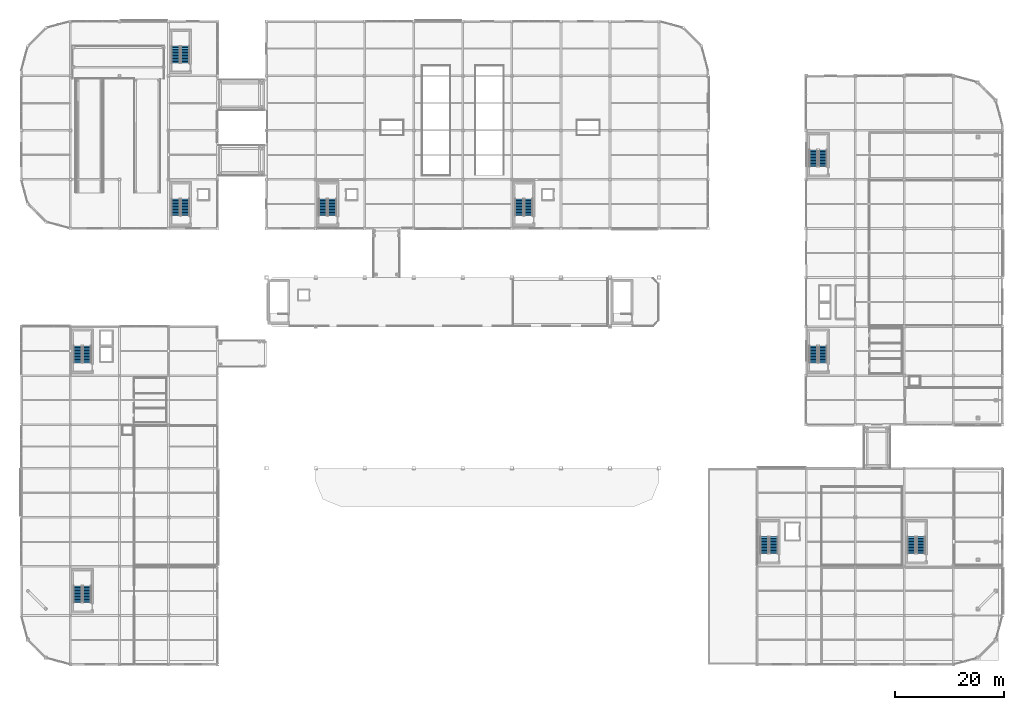
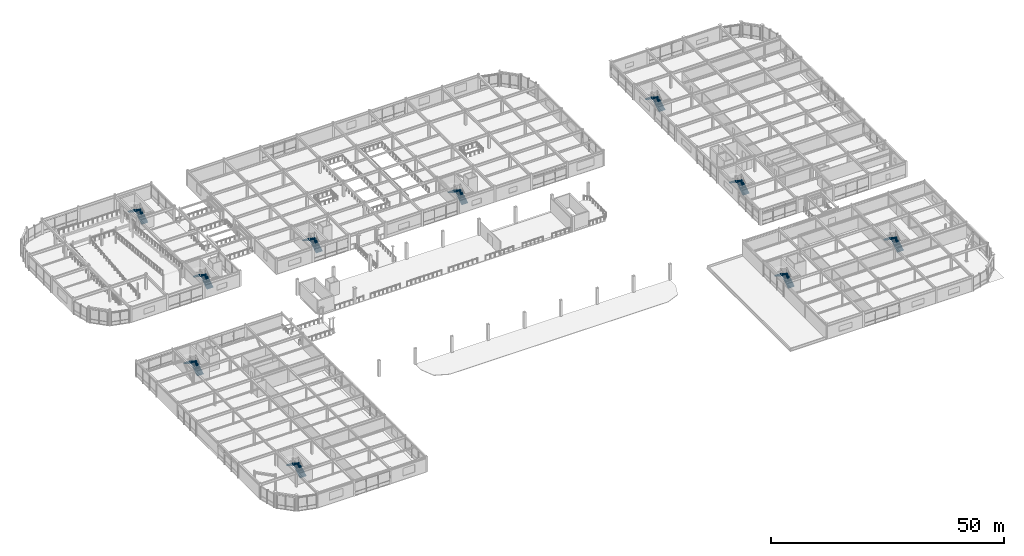
# One storey, part 80 of 105: 20 stair flights, 10 elements without a shape of their own.
"""IFC4 building model written with IfcOpenShell, lengths in metres."""

from ifc_helpers import new_model, si_unit, direction, frame, origin, place, context, subcontext, project, spatial, polyline, outline, extrude, material, type_object, element, aggregate, save


model = new_model("IFC4")

# Units and contexts
model_context = context("Model", 3, precision=1e-05, world=origin(), true_north=direction((0.0, 1.0)))
body_context = subcontext(model_context, "Body", "Model", "MODEL_VIEW")
ifc_project = project(units=[si_unit("LENGTHUNIT", "METRE"), si_unit("AREAUNIT", "SQUARE_METRE"), si_unit("VOLUMEUNIT", "CUBIC_METRE"), si_unit("PLANEANGLEUNIT", "RADIAN"), si_unit("MASSUNIT", "GRAM", prefix="KILO")], contexts=[model_context])

# Site, building, storey
site_placement = place(None, origin())
site = spatial("IfcSite", under=ifc_project, at=site_placement, CompositionType="ELEMENT")
building_placement = place(site_placement, origin())
building = spatial("IfcBuilding", under=site, at=building_placement, Name="Suzunagisa Mobility Hub", CompositionType="ELEMENT")
storey_placement = place(building_placement, frame((0.0, 0.0, 5.10009765625)))
storey = spatial("IfcBuildingStorey", under=building, at=storey_placement, Name="L01", CompositionType="ELEMENT", Elevation=5.10009765625)

# Stair, stair flights
ifc_material = material(Name="Concrete C35/45", Category="concrete")
stair_type_1 = type_object("IfcStairType", Name="Dog-Leg Core Escape Stair ST-01 W1560", PredefinedType="HALF_TURN_STAIR", material=ifc_material)
stair_1_placement = place(storey_placement, origin())
stair_1 = element("IfcStair", 1, at=stair_1_placement, inside=storey, type_object=stair_type_1, Name="L01 Core C1 Escape Stair ST-01", PredefinedType="HALF_TURN_STAIR")
stair_flight_type_1 = type_object("IfcStairFlightType", Name="Dog-Leg Core Stair Flight ST-01-F W1560", PredefinedType="STRAIGHT", material=ifc_material)
stair_flight_1_placement = place(storey_placement, frame((12.06005859375, 55.360107421875, 0.0), z_axis=(0.0, 0.0, 1.0), x_axis=(0.0, 1.0, 0.0)))
stair_flight_1 = element("IfcStairFlight", 2, at=stair_flight_1_placement, type_object=stair_flight_type_1, Name="ST-01 flight 1", NumberOfRisers=12, NumberOfTreads=11, PredefinedType="STRAIGHT", RiserHeight=0.175, TreadLength=0.28, context=body_context, shape_type="SweptSolid", body=[
    extrude(outline(polyline([(0.0, 0.0), (0.0, 0.175048828125), (0.280029296875, 0.175048828125), (0.280029296875, 0.35009765625), (0.56005859375, 0.35009765625), (0.56005859375, 0.52490234375), (0.840087890625, 0.52490234375), (0.840087890625, 0.699951171875), (1.1201171875, 0.699951171875), (1.1201171875, 0.875), (1.39990234375, 0.875), (1.39990234375, 1.050048828125), (1.679931640625, 1.050048828125), (1.679931640625, 1.22509765625), (1.9599609375, 1.22509765625), (1.9599609375, 1.39990234375), (2.239990234375, 1.39990234375), (2.239990234375, 1.574951171875), (2.52001953125, 1.574951171875), (2.52001953125, 1.75), (2.800048828125, 1.75), (2.800048828125, 1.925048828125), (3.080078125, 1.925048828125), (3.080078125, 2.10009765625), (3.080078125, 1.736328125), (0.3017578125, 0.0), (0.0, 0.0)])), frame((0.0, 0.780029296875, 0.0), z_axis=(0.0, -1.0, 0.0), x_axis=(1.0, 0.0, 0.0)), (0.0, 0.0, 1.0), 1.56005859375),
])
stair_flight_2_placement = place(storey_placement, frame((10.340087890625, 58.43994140625, 2.099853515625), z_axis=(0.0, 0.0, 1.0), x_axis=(0.0, -1.0, 0.0)))
stair_flight_2 = element("IfcStairFlight", 3, at=stair_flight_2_placement, type_object=stair_flight_type_1, Name="ST-01 flight 2", NumberOfRisers=12, NumberOfTreads=11, PredefinedType="STRAIGHT", RiserHeight=0.175, TreadLength=0.28, context=body_context, shape_type="SweptSolid", body=[
    extrude(outline(polyline([(0.0, 0.0), (0.0, 0.175048828125), (0.280029296875, 0.175048828125), (0.280029296875, 0.35009765625), (0.56005859375, 0.35009765625), (0.56005859375, 0.52490234375), (0.840087890625, 0.52490234375), (0.840087890625, 0.699951171875), (1.1201171875, 0.699951171875), (1.1201171875, 0.875), (1.39990234375, 0.875), (1.39990234375, 1.050048828125), (1.679931640625, 1.050048828125), (1.679931640625, 1.22509765625), (1.9599609375, 1.22509765625), (1.9599609375, 1.39990234375), (2.239990234375, 1.39990234375), (2.239990234375, 1.574951171875), (2.52001953125, 1.574951171875), (2.52001953125, 1.75), (2.800048828125, 1.75), (2.800048828125, 1.925048828125), (3.080078125, 1.925048828125), (3.080078125, 2.10009765625), (3.080078125, 1.736328125), (0.3017578125, 0.0), (0.0, 0.0)])), frame((0.0, 0.780029296875, 0.0), z_axis=(0.0, -1.0, 0.0), x_axis=(1.0, 0.0, 0.0)), (0.0, 0.0, 1.0), 1.56005859375),
])
aggregate(stair_1, [stair_flight_1, stair_flight_2])

stair_type_2 = type_object("IfcStairType", Name="Dog-Leg Core Escape Stair ST-02 W1560", PredefinedType="HALF_TURN_STAIR", material=ifc_material)
stair_2_placement = place(storey_placement, origin())
stair_2 = element("IfcStair", 4, at=stair_2_placement, inside=storey, type_object=stair_type_2, Name="L01 Core C1B Escape Stair ST-02", PredefinedType="HALF_TURN_STAIR")
stair_flight_type_2 = type_object("IfcStairFlightType", Name="Dog-Leg Core Stair Flight ST-02-F W1560", PredefinedType="STRAIGHT", material=ifc_material)
stair_flight_3_placement = place(storey_placement, frame((12.06005859375, 11.360107421875, 0.0), z_axis=(0.0, 0.0, 1.0), x_axis=(0.0, 1.0, 0.0)))
stair_flight_3 = element("IfcStairFlight", 5, at=stair_flight_3_placement, type_object=stair_flight_type_2, Name="ST-02 flight 1", NumberOfRisers=12, NumberOfTreads=11, PredefinedType="STRAIGHT", RiserHeight=0.175, TreadLength=0.28, context=body_context, shape_type="SweptSolid", body=[
    extrude(outline(polyline([(0.0, 0.0), (0.0, 0.175048828125), (0.280029296875, 0.175048828125), (0.280029296875, 0.35009765625), (0.56005859375, 0.35009765625), (0.56005859375, 0.52490234375), (0.840087890625, 0.52490234375), (0.840087890625, 0.699951171875), (1.1201171875, 0.699951171875), (1.1201171875, 0.875), (1.39990234375, 0.875), (1.39990234375, 1.050048828125), (1.679931640625, 1.050048828125), (1.679931640625, 1.22509765625), (1.9599609375, 1.22509765625), (1.9599609375, 1.39990234375), (2.239990234375, 1.39990234375), (2.239990234375, 1.574951171875), (2.52001953125, 1.574951171875), (2.52001953125, 1.75), (2.800048828125, 1.75), (2.800048828125, 1.925048828125), (3.080078125, 1.925048828125), (3.080078125, 2.10009765625), (3.080078125, 1.736328125), (0.3017578125, 0.0), (0.0, 0.0)])), frame((0.0, 0.780029296875, 0.0), z_axis=(0.0, -1.0, 0.0), x_axis=(1.0, 0.0, 0.0)), (0.0, 0.0, 1.0), 1.56005859375),
])
stair_flight_4_placement = place(storey_placement, frame((10.340087890625, 14.43994140625, 2.099853515625), z_axis=(0.0, 0.0, 1.0), x_axis=(0.0, -1.0, 0.0)))
stair_flight_4 = element("IfcStairFlight", 6, at=stair_flight_4_placement, type_object=stair_flight_type_2, Name="ST-02 flight 2", NumberOfRisers=12, NumberOfTreads=11, PredefinedType="STRAIGHT", RiserHeight=0.175, TreadLength=0.28, context=body_context, shape_type="SweptSolid", body=[
    extrude(outline(polyline([(0.0, 0.0), (0.0, 0.175048828125), (0.280029296875, 0.175048828125), (0.280029296875, 0.35009765625), (0.56005859375, 0.35009765625), (0.56005859375, 0.52490234375), (0.840087890625, 0.52490234375), (0.840087890625, 0.699951171875), (1.1201171875, 0.699951171875), (1.1201171875, 0.875), (1.39990234375, 0.875), (1.39990234375, 1.050048828125), (1.679931640625, 1.050048828125), (1.679931640625, 1.22509765625), (1.9599609375, 1.22509765625), (1.9599609375, 1.39990234375), (2.239990234375, 1.39990234375), (2.239990234375, 1.574951171875), (2.52001953125, 1.574951171875), (2.52001953125, 1.75), (2.800048828125, 1.75), (2.800048828125, 1.925048828125), (3.080078125, 1.925048828125), (3.080078125, 2.10009765625), (3.080078125, 1.736328125), (0.3017578125, 0.0), (0.0, 0.0)])), frame((0.0, 0.780029296875, 0.0), z_axis=(0.0, -1.0, 0.0), x_axis=(1.0, 0.0, 0.0)), (0.0, 0.0, 1.0), 1.56005859375),
])
aggregate(stair_2, [stair_flight_3, stair_flight_4])

stair_type_3 = type_object("IfcStairType", Name="Dog-Leg Core Escape Stair ST-05 W1560", PredefinedType="HALF_TURN_STAIR", material=ifc_material)
stair_3_placement = place(storey_placement, origin())
stair_3 = element("IfcStair", 7, at=stair_3_placement, inside=storey, type_object=stair_type_3, Name="L01 Core C6 Escape Stair ST-05", PredefinedType="HALF_TURN_STAIR")
stair_flight_type_3 = type_object("IfcStairFlightType", Name="Dog-Leg Core Stair Flight ST-05-F W1560", PredefinedType="STRAIGHT", material=ifc_material)
stair_flight_5_placement = place(storey_placement, frame((30.06005859375, 82.360107421875, 0.0), z_axis=(0.0, 0.0, 1.0), x_axis=(0.0, 1.0, 0.0)))
stair_flight_5 = element("IfcStairFlight", 8, at=stair_flight_5_placement, type_object=stair_flight_type_3, Name="ST-05 flight 1", NumberOfRisers=12, NumberOfTreads=11, PredefinedType="STRAIGHT", RiserHeight=0.175, TreadLength=0.28, context=body_context, shape_type="SweptSolid", body=[
    extrude(outline(polyline([(0.0, 0.0), (0.0, 0.175048828125), (0.280029296875, 0.175048828125), (0.280029296875, 0.35009765625), (0.56005859375, 0.35009765625), (0.56005859375, 0.52490234375), (0.840087890625, 0.52490234375), (0.840087890625, 0.699951171875), (1.1201171875, 0.699951171875), (1.1201171875, 0.875), (1.39990234375, 0.875), (1.39990234375, 1.050048828125), (1.679931640625, 1.050048828125), (1.679931640625, 1.22509765625), (1.9599609375, 1.22509765625), (1.9599609375, 1.39990234375), (2.239990234375, 1.39990234375), (2.239990234375, 1.574951171875), (2.52001953125, 1.574951171875), (2.52001953125, 1.75), (2.800048828125, 1.75), (2.800048828125, 1.925048828125), (3.080078125, 1.925048828125), (3.080078125, 2.10009765625), (3.080078125, 1.736328125), (0.3017578125, 0.0), (0.0, 0.0)])), frame((0.0, 0.780029296875, 0.0), z_axis=(0.0, -1.0, 0.0), x_axis=(1.0, 0.0, 0.0)), (0.0, 0.0, 1.0), 1.56005859375),
])
stair_flight_6_placement = place(storey_placement, frame((28.340087890625, 85.43994140625, 2.099853515625), z_axis=(0.0, 0.0, 1.0), x_axis=(0.0, -1.0, 0.0)))
stair_flight_6 = element("IfcStairFlight", 9, at=stair_flight_6_placement, type_object=stair_flight_type_3, Name="ST-05 flight 2", NumberOfRisers=12, NumberOfTreads=11, PredefinedType="STRAIGHT", RiserHeight=0.175, TreadLength=0.28, context=body_context, shape_type="SweptSolid", body=[
    extrude(outline(polyline([(0.0, 0.0), (0.0, 0.175048828125), (0.280029296875, 0.175048828125), (0.280029296875, 0.35009765625), (0.56005859375, 0.35009765625), (0.56005859375, 0.52490234375), (0.840087890625, 0.52490234375), (0.840087890625, 0.699951171875), (1.1201171875, 0.699951171875), (1.1201171875, 0.875), (1.39990234375, 0.875), (1.39990234375, 1.050048828125), (1.679931640625, 1.050048828125), (1.679931640625, 1.22509765625), (1.9599609375, 1.22509765625), (1.9599609375, 1.39990234375), (2.239990234375, 1.39990234375), (2.239990234375, 1.574951171875), (2.52001953125, 1.574951171875), (2.52001953125, 1.75), (2.800048828125, 1.75), (2.800048828125, 1.925048828125), (3.080078125, 1.925048828125), (3.080078125, 2.10009765625), (3.080078125, 1.736328125), (0.3017578125, 0.0), (0.0, 0.0)])), frame((0.0, 0.780029296875, 0.0), z_axis=(0.0, -1.0, 0.0), x_axis=(1.0, 0.0, 0.0)), (0.0, 0.0, 1.0), 1.56005859375),
])
aggregate(stair_3, [stair_flight_5, stair_flight_6])

stair_type_4 = type_object("IfcStairType", Name="Dog-Leg Core Escape Stair ST-06 W1560", PredefinedType="HALF_TURN_STAIR", material=ifc_material)
stair_4_placement = place(storey_placement, origin())
stair_4 = element("IfcStair", 10, at=stair_4_placement, inside=storey, type_object=stair_type_4, Name="L01 Core C6B Escape Stair ST-06", PredefinedType="HALF_TURN_STAIR")
stair_flight_type_4 = type_object("IfcStairFlightType", Name="Dog-Leg Core Stair Flight ST-06-F W1560", PredefinedType="STRAIGHT", material=ifc_material)
stair_flight_7_placement = place(storey_placement, frame((30.06005859375, 110.360107421875, 0.0), z_axis=(0.0, 0.0, 1.0), x_axis=(0.0, 1.0, 0.0)))
stair_flight_7 = element("IfcStairFlight", 11, at=stair_flight_7_placement, type_object=stair_flight_type_4, Name="ST-06 flight 1", NumberOfRisers=12, NumberOfTreads=11, PredefinedType="STRAIGHT", RiserHeight=0.175, TreadLength=0.28, context=body_context, shape_type="SweptSolid", body=[
    extrude(outline(polyline([(0.0, 0.0), (0.0, 0.175048828125), (0.280029296875, 0.175048828125), (0.280029296875, 0.35009765625), (0.56005859375, 0.35009765625), (0.56005859375, 0.52490234375), (0.840087890625, 0.52490234375), (0.840087890625, 0.699951171875), (1.1201171875, 0.699951171875), (1.1201171875, 0.875), (1.39990234375, 0.875), (1.39990234375, 1.050048828125), (1.679931640625, 1.050048828125), (1.679931640625, 1.22509765625), (1.9599609375, 1.22509765625), (1.9599609375, 1.39990234375), (2.239990234375, 1.39990234375), (2.239990234375, 1.574951171875), (2.52001953125, 1.574951171875), (2.52001953125, 1.75), (2.800048828125, 1.75), (2.800048828125, 1.925048828125), (3.080078125, 1.925048828125), (3.080078125, 2.10009765625), (3.080078125, 1.736328125), (0.3017578125, 0.0), (0.0, 0.0)])), frame((0.0, 0.780029296875, 0.0), z_axis=(0.0, -1.0, 0.0), x_axis=(1.0, 0.0, 0.0)), (0.0, 0.0, 1.0), 1.56005859375),
])
stair_flight_8_placement = place(storey_placement, frame((28.340087890625, 113.43994140625, 2.099853515625), z_axis=(0.0, 0.0, 1.0), x_axis=(0.0, -1.0, 0.0)))
stair_flight_8 = element("IfcStairFlight", 12, at=stair_flight_8_placement, type_object=stair_flight_type_4, Name="ST-06 flight 2", NumberOfRisers=12, NumberOfTreads=11, PredefinedType="STRAIGHT", RiserHeight=0.175, TreadLength=0.28, context=body_context, shape_type="SweptSolid", body=[
    extrude(outline(polyline([(0.0, 0.0), (0.0, 0.175048828125), (0.280029296875, 0.175048828125), (0.280029296875, 0.35009765625), (0.56005859375, 0.35009765625), (0.56005859375, 0.52490234375), (0.840087890625, 0.52490234375), (0.840087890625, 0.699951171875), (1.1201171875, 0.699951171875), (1.1201171875, 0.875), (1.39990234375, 0.875), (1.39990234375, 1.050048828125), (1.679931640625, 1.050048828125), (1.679931640625, 1.22509765625), (1.9599609375, 1.22509765625), (1.9599609375, 1.39990234375), (2.239990234375, 1.39990234375), (2.239990234375, 1.574951171875), (2.52001953125, 1.574951171875), (2.52001953125, 1.75), (2.800048828125, 1.75), (2.800048828125, 1.925048828125), (3.080078125, 1.925048828125), (3.080078125, 2.10009765625), (3.080078125, 1.736328125), (0.3017578125, 0.0), (0.0, 0.0)])), frame((0.0, 0.780029296875, 0.0), z_axis=(0.0, -1.0, 0.0), x_axis=(1.0, 0.0, 0.0)), (0.0, 0.0, 1.0), 1.56005859375),
])
aggregate(stair_4, [stair_flight_7, stair_flight_8])

stair_type_5 = type_object("IfcStairType", Name="Dog-Leg Core Escape Stair ST-07 W1560", PredefinedType="HALF_TURN_STAIR", material=ifc_material)
stair_5_placement = place(storey_placement, origin())
stair_5 = element("IfcStair", 13, at=stair_5_placement, inside=storey, type_object=stair_type_5, Name="L01 Core C3 Escape Stair ST-07", PredefinedType="HALF_TURN_STAIR")
stair_flight_type_5 = type_object("IfcStairFlightType", Name="Dog-Leg Core Stair Flight ST-07-F W1560", PredefinedType="STRAIGHT", material=ifc_material)
stair_flight_9_placement = place(storey_placement, frame((57.06005859375, 82.360107421875, 0.0), z_axis=(0.0, 0.0, 1.0), x_axis=(0.0, 1.0, 0.0)))
stair_flight_9 = element("IfcStairFlight", 14, at=stair_flight_9_placement, type_object=stair_flight_type_5, Name="ST-07 flight 1", NumberOfRisers=12, NumberOfTreads=11, PredefinedType="STRAIGHT", RiserHeight=0.175, TreadLength=0.28, context=body_context, shape_type="SweptSolid", body=[
    extrude(outline(polyline([(0.0, 0.0), (0.0, 0.175048828125), (0.280029296875, 0.175048828125), (0.280029296875, 0.35009765625), (0.56005859375, 0.35009765625), (0.56005859375, 0.52490234375), (0.840087890625, 0.52490234375), (0.840087890625, 0.699951171875), (1.1201171875, 0.699951171875), (1.1201171875, 0.875), (1.39990234375, 0.875), (1.39990234375, 1.050048828125), (1.679931640625, 1.050048828125), (1.679931640625, 1.22509765625), (1.9599609375, 1.22509765625), (1.9599609375, 1.39990234375), (2.239990234375, 1.39990234375), (2.239990234375, 1.574951171875), (2.52001953125, 1.574951171875), (2.52001953125, 1.75), (2.800048828125, 1.75), (2.800048828125, 1.925048828125), (3.080078125, 1.925048828125), (3.080078125, 2.10009765625), (3.080078125, 1.736328125), (0.3017578125, 0.0), (0.0, 0.0)])), frame((0.0, 0.780029296875, 0.0), z_axis=(0.0, -1.0, 0.0), x_axis=(1.0, 0.0, 0.0)), (0.0, 0.0, 1.0), 1.56005859375),
])
stair_flight_10_placement = place(storey_placement, frame((55.340087890625, 85.43994140625, 2.099853515625), z_axis=(0.0, 0.0, 1.0), x_axis=(0.0, -1.0, 0.0)))
stair_flight_10 = element("IfcStairFlight", 15, at=stair_flight_10_placement, type_object=stair_flight_type_5, Name="ST-07 flight 2", NumberOfRisers=12, NumberOfTreads=11, PredefinedType="STRAIGHT", RiserHeight=0.175, TreadLength=0.28, context=body_context, shape_type="SweptSolid", body=[
    extrude(outline(polyline([(0.0, 0.0), (0.0, 0.175048828125), (0.280029296875, 0.175048828125), (0.280029296875, 0.35009765625), (0.56005859375, 0.35009765625), (0.56005859375, 0.52490234375), (0.840087890625, 0.52490234375), (0.840087890625, 0.699951171875), (1.1201171875, 0.699951171875), (1.1201171875, 0.875), (1.39990234375, 0.875), (1.39990234375, 1.050048828125), (1.679931640625, 1.050048828125), (1.679931640625, 1.22509765625), (1.9599609375, 1.22509765625), (1.9599609375, 1.39990234375), (2.239990234375, 1.39990234375), (2.239990234375, 1.574951171875), (2.52001953125, 1.574951171875), (2.52001953125, 1.75), (2.800048828125, 1.75), (2.800048828125, 1.925048828125), (3.080078125, 1.925048828125), (3.080078125, 2.10009765625), (3.080078125, 1.736328125), (0.3017578125, 0.0), (0.0, 0.0)])), frame((0.0, 0.780029296875, 0.0), z_axis=(0.0, -1.0, 0.0), x_axis=(1.0, 0.0, 0.0)), (0.0, 0.0, 1.0), 1.56005859375),
])
aggregate(stair_5, [stair_flight_9, stair_flight_10])

stair_type_6 = type_object("IfcStairType", Name="Dog-Leg Core Escape Stair ST-08 W1560", PredefinedType="HALF_TURN_STAIR", material=ifc_material)
stair_6_placement = place(storey_placement, origin())
stair_6 = element("IfcStair", 16, at=stair_6_placement, inside=storey, type_object=stair_type_6, Name="L01 Core C4 Escape Stair ST-08", PredefinedType="HALF_TURN_STAIR")
stair_flight_type_6 = type_object("IfcStairFlightType", Name="Dog-Leg Core Stair Flight ST-08-F W1560", PredefinedType="STRAIGHT", material=ifc_material)
stair_flight_11_placement = place(storey_placement, frame((93.06005859375, 82.360107421875, 0.0), z_axis=(0.0, 0.0, 1.0), x_axis=(0.0, 1.0, 0.0)))
stair_flight_11 = element("IfcStairFlight", 17, at=stair_flight_11_placement, type_object=stair_flight_type_6, Name="ST-08 flight 1", NumberOfRisers=12, NumberOfTreads=11, PredefinedType="STRAIGHT", RiserHeight=0.175, TreadLength=0.28, context=body_context, shape_type="SweptSolid", body=[
    extrude(outline(polyline([(0.0, 0.0), (0.0, 0.175048828125), (0.280029296875, 0.175048828125), (0.280029296875, 0.35009765625), (0.56005859375, 0.35009765625), (0.56005859375, 0.52490234375), (0.840087890625, 0.52490234375), (0.840087890625, 0.699951171875), (1.1201171875, 0.699951171875), (1.1201171875, 0.875), (1.39990234375, 0.875), (1.39990234375, 1.050048828125), (1.679931640625, 1.050048828125), (1.679931640625, 1.22509765625), (1.9599609375, 1.22509765625), (1.9599609375, 1.39990234375), (2.239990234375, 1.39990234375), (2.239990234375, 1.574951171875), (2.52001953125, 1.574951171875), (2.52001953125, 1.75), (2.800048828125, 1.75), (2.800048828125, 1.925048828125), (3.080078125, 1.925048828125), (3.080078125, 2.10009765625), (3.080078125, 1.736328125), (0.3017578125, 0.0), (0.0, 0.0)])), frame((0.0, 0.780029296875, 0.0), z_axis=(0.0, -1.0, 0.0), x_axis=(1.0, 0.0, 0.0)), (0.0, 0.0, 1.0), 1.56005859375),
])
stair_flight_12_placement = place(storey_placement, frame((91.340087890625, 85.43994140625, 2.099853515625), z_axis=(0.0, 0.0, 1.0), x_axis=(0.0, -1.0, 0.0)))
stair_flight_12 = element("IfcStairFlight", 18, at=stair_flight_12_placement, type_object=stair_flight_type_6, Name="ST-08 flight 2", NumberOfRisers=12, NumberOfTreads=11, PredefinedType="STRAIGHT", RiserHeight=0.175, TreadLength=0.28, context=body_context, shape_type="SweptSolid", body=[
    extrude(outline(polyline([(0.0, 0.0), (0.0, 0.175048828125), (0.280029296875, 0.175048828125), (0.280029296875, 0.35009765625), (0.56005859375, 0.35009765625), (0.56005859375, 0.52490234375), (0.840087890625, 0.52490234375), (0.840087890625, 0.699951171875), (1.1201171875, 0.699951171875), (1.1201171875, 0.875), (1.39990234375, 0.875), (1.39990234375, 1.050048828125), (1.679931640625, 1.050048828125), (1.679931640625, 1.22509765625), (1.9599609375, 1.22509765625), (1.9599609375, 1.39990234375), (2.239990234375, 1.39990234375), (2.239990234375, 1.574951171875), (2.52001953125, 1.574951171875), (2.52001953125, 1.75), (2.800048828125, 1.75), (2.800048828125, 1.925048828125), (3.080078125, 1.925048828125), (3.080078125, 2.10009765625), (3.080078125, 1.736328125), (0.3017578125, 0.0), (0.0, 0.0)])), frame((0.0, 0.780029296875, 0.0), z_axis=(0.0, -1.0, 0.0), x_axis=(1.0, 0.0, 0.0)), (0.0, 0.0, 1.0), 1.56005859375),
])
aggregate(stair_6, [stair_flight_11, stair_flight_12])

stair_type_7 = type_object("IfcStairType", Name="Dog-Leg Core Escape Stair ST-09 W1560", PredefinedType="HALF_TURN_STAIR", material=ifc_material)
stair_7_placement = place(storey_placement, origin())
stair_7 = element("IfcStair", 19, at=stair_7_placement, inside=storey, type_object=stair_type_7, Name="L01 Core C7 Escape Stair ST-09", PredefinedType="HALF_TURN_STAIR")
stair_flight_type_7 = type_object("IfcStairFlightType", Name="Dog-Leg Core Stair Flight ST-09-F W1560", PredefinedType="STRAIGHT", material=ifc_material)
stair_flight_13_placement = place(storey_placement, frame((138.06005859375, 20.360107421875, 0.0), z_axis=(0.0, 0.0, 1.0), x_axis=(0.0, 1.0, 0.0)))
stair_flight_13 = element("IfcStairFlight", 20, at=stair_flight_13_placement, type_object=stair_flight_type_7, Name="ST-09 flight 1", NumberOfRisers=12, NumberOfTreads=11, PredefinedType="STRAIGHT", RiserHeight=0.175, TreadLength=0.28, context=body_context, shape_type="SweptSolid", body=[
    extrude(outline(polyline([(0.0, 0.0), (0.0, 0.175048828125), (0.280029296875, 0.175048828125), (0.280029296875, 0.35009765625), (0.56005859375, 0.35009765625), (0.56005859375, 0.52490234375), (0.840087890625, 0.52490234375), (0.840087890625, 0.699951171875), (1.1201171875, 0.699951171875), (1.1201171875, 0.875), (1.39990234375, 0.875), (1.39990234375, 1.050048828125), (1.679931640625, 1.050048828125), (1.679931640625, 1.22509765625), (1.9599609375, 1.22509765625), (1.9599609375, 1.39990234375), (2.239990234375, 1.39990234375), (2.239990234375, 1.574951171875), (2.52001953125, 1.574951171875), (2.52001953125, 1.75), (2.800048828125, 1.75), (2.800048828125, 1.925048828125), (3.080078125, 1.925048828125), (3.080078125, 2.10009765625), (3.080078125, 1.736328125), (0.3017578125, 0.0), (0.0, 0.0)])), frame((0.0, 0.780029296875, 0.0), z_axis=(0.0, -1.0, 0.0), x_axis=(1.0, 0.0, 0.0)), (0.0, 0.0, 1.0), 1.56005859375),
])
stair_flight_14_placement = place(storey_placement, frame((136.340087890625, 23.43994140625, 2.099853515625), z_axis=(0.0, 0.0, 1.0), x_axis=(0.0, -1.0, 0.0)))
stair_flight_14 = element("IfcStairFlight", 21, at=stair_flight_14_placement, type_object=stair_flight_type_7, Name="ST-09 flight 2", NumberOfRisers=12, NumberOfTreads=11, PredefinedType="STRAIGHT", RiserHeight=0.175, TreadLength=0.28, context=body_context, shape_type="SweptSolid", body=[
    extrude(outline(polyline([(0.0, 0.0), (0.0, 0.175048828125), (0.280029296875, 0.175048828125), (0.280029296875, 0.35009765625), (0.56005859375, 0.35009765625), (0.56005859375, 0.52490234375), (0.840087890625, 0.52490234375), (0.840087890625, 0.699951171875), (1.1201171875, 0.699951171875), (1.1201171875, 0.875), (1.39990234375, 0.875), (1.39990234375, 1.050048828125), (1.679931640625, 1.050048828125), (1.679931640625, 1.22509765625), (1.9599609375, 1.22509765625), (1.9599609375, 1.39990234375), (2.239990234375, 1.39990234375), (2.239990234375, 1.574951171875), (2.52001953125, 1.574951171875), (2.52001953125, 1.75), (2.800048828125, 1.75), (2.800048828125, 1.925048828125), (3.080078125, 1.925048828125), (3.080078125, 2.10009765625), (3.080078125, 1.736328125), (0.3017578125, 0.0), (0.0, 0.0)])), frame((0.0, 0.780029296875, 0.0), z_axis=(0.0, -1.0, 0.0), x_axis=(1.0, 0.0, 0.0)), (0.0, 0.0, 1.0), 1.56005859375),
])
aggregate(stair_7, [stair_flight_13, stair_flight_14])

stair_type_8 = type_object("IfcStairType", Name="Dog-Leg Core Escape Stair ST-10 W1560", PredefinedType="HALF_TURN_STAIR", material=ifc_material)
stair_8_placement = place(storey_placement, origin())
stair_8 = element("IfcStair", 22, at=stair_8_placement, inside=storey, type_object=stair_type_8, Name="L01 Core C7B Escape Stair ST-10", PredefinedType="HALF_TURN_STAIR")
stair_flight_type_8 = type_object("IfcStairFlightType", Name="Dog-Leg Core Stair Flight ST-10-F W1560", PredefinedType="STRAIGHT", material=ifc_material)
stair_flight_15_placement = place(storey_placement, frame((165.06005859375, 20.360107421875, 0.0), z_axis=(0.0, 0.0, 1.0), x_axis=(0.0, 1.0, 0.0)))
stair_flight_15 = element("IfcStairFlight", 23, at=stair_flight_15_placement, type_object=stair_flight_type_8, Name="ST-10 flight 1", NumberOfRisers=12, NumberOfTreads=11, PredefinedType="STRAIGHT", RiserHeight=0.175, TreadLength=0.28, context=body_context, shape_type="SweptSolid", body=[
    extrude(outline(polyline([(0.0, 0.0), (0.0, 0.175048828125), (0.280029296875, 0.175048828125), (0.280029296875, 0.35009765625), (0.56005859375, 0.35009765625), (0.56005859375, 0.52490234375), (0.840087890625, 0.52490234375), (0.840087890625, 0.699951171875), (1.1201171875, 0.699951171875), (1.1201171875, 0.875), (1.39990234375, 0.875), (1.39990234375, 1.050048828125), (1.679931640625, 1.050048828125), (1.679931640625, 1.22509765625), (1.9599609375, 1.22509765625), (1.9599609375, 1.39990234375), (2.239990234375, 1.39990234375), (2.239990234375, 1.574951171875), (2.52001953125, 1.574951171875), (2.52001953125, 1.75), (2.800048828125, 1.75), (2.800048828125, 1.925048828125), (3.080078125, 1.925048828125), (3.080078125, 2.10009765625), (3.080078125, 1.736328125), (0.3017578125, 0.0), (0.0, 0.0)])), frame((0.0, 0.780029296875, 0.0), z_axis=(0.0, -1.0, 0.0), x_axis=(1.0, 0.0, 0.0)), (0.0, 0.0, 1.0), 1.56005859375),
])
stair_flight_16_placement = place(storey_placement, frame((163.340087890625, 23.43994140625, 2.099853515625), z_axis=(0.0, 0.0, 1.0), x_axis=(0.0, -1.0, 0.0)))
stair_flight_16 = element("IfcStairFlight", 24, at=stair_flight_16_placement, type_object=stair_flight_type_8, Name="ST-10 flight 2", NumberOfRisers=12, NumberOfTreads=11, PredefinedType="STRAIGHT", RiserHeight=0.175, TreadLength=0.28, context=body_context, shape_type="SweptSolid", body=[
    extrude(outline(polyline([(0.0, 0.0), (0.0, 0.175048828125), (0.280029296875, 0.175048828125), (0.280029296875, 0.35009765625), (0.56005859375, 0.35009765625), (0.56005859375, 0.52490234375), (0.840087890625, 0.52490234375), (0.840087890625, 0.699951171875), (1.1201171875, 0.699951171875), (1.1201171875, 0.875), (1.39990234375, 0.875), (1.39990234375, 1.050048828125), (1.679931640625, 1.050048828125), (1.679931640625, 1.22509765625), (1.9599609375, 1.22509765625), (1.9599609375, 1.39990234375), (2.239990234375, 1.39990234375), (2.239990234375, 1.574951171875), (2.52001953125, 1.574951171875), (2.52001953125, 1.75), (2.800048828125, 1.75), (2.800048828125, 1.925048828125), (3.080078125, 1.925048828125), (3.080078125, 2.10009765625), (3.080078125, 1.736328125), (0.3017578125, 0.0), (0.0, 0.0)])), frame((0.0, 0.780029296875, 0.0), z_axis=(0.0, -1.0, 0.0), x_axis=(1.0, 0.0, 0.0)), (0.0, 0.0, 1.0), 1.56005859375),
])
aggregate(stair_8, [stair_flight_15, stair_flight_16])

stair_type_9 = type_object("IfcStairType", Name="Dog-Leg Core Escape Stair ST-11 W1560", PredefinedType="HALF_TURN_STAIR", material=ifc_material)
stair_9_placement = place(storey_placement, origin())
stair_9 = element("IfcStair", 25, at=stair_9_placement, inside=storey, type_object=stair_type_9, Name="L01 Core C5 Escape Stair ST-11", PredefinedType="HALF_TURN_STAIR")
stair_flight_type_9 = type_object("IfcStairFlightType", Name="Dog-Leg Core Stair Flight ST-11-F W1560", PredefinedType="STRAIGHT", material=ifc_material)
stair_flight_17_placement = place(storey_placement, frame((147.06005859375, 55.360107421875, 0.0), z_axis=(0.0, 0.0, 1.0), x_axis=(0.0, 1.0, 0.0)))
stair_flight_17 = element("IfcStairFlight", 26, at=stair_flight_17_placement, type_object=stair_flight_type_9, Name="ST-11 flight 1", NumberOfRisers=12, NumberOfTreads=11, PredefinedType="STRAIGHT", RiserHeight=0.175, TreadLength=0.28, context=body_context, shape_type="SweptSolid", body=[
    extrude(outline(polyline([(0.0, 0.0), (0.0, 0.175048828125), (0.280029296875, 0.175048828125), (0.280029296875, 0.35009765625), (0.56005859375, 0.35009765625), (0.56005859375, 0.52490234375), (0.840087890625, 0.52490234375), (0.840087890625, 0.699951171875), (1.1201171875, 0.699951171875), (1.1201171875, 0.875), (1.39990234375, 0.875), (1.39990234375, 1.050048828125), (1.679931640625, 1.050048828125), (1.679931640625, 1.22509765625), (1.9599609375, 1.22509765625), (1.9599609375, 1.39990234375), (2.239990234375, 1.39990234375), (2.239990234375, 1.574951171875), (2.52001953125, 1.574951171875), (2.52001953125, 1.75), (2.800048828125, 1.75), (2.800048828125, 1.925048828125), (3.080078125, 1.925048828125), (3.080078125, 2.10009765625), (3.080078125, 1.736328125), (0.3017578125, 0.0), (0.0, 0.0)])), frame((0.0, 0.780029296875, 0.0), z_axis=(0.0, -1.0, 0.0), x_axis=(1.0, 0.0, 0.0)), (0.0, 0.0, 1.0), 1.56005859375),
])
stair_flight_18_placement = place(storey_placement, frame((145.340087890625, 58.43994140625, 2.099853515625), z_axis=(0.0, 0.0, 1.0), x_axis=(0.0, -1.0, 0.0)))
stair_flight_18 = element("IfcStairFlight", 27, at=stair_flight_18_placement, type_object=stair_flight_type_9, Name="ST-11 flight 2", NumberOfRisers=12, NumberOfTreads=11, PredefinedType="STRAIGHT", RiserHeight=0.175, TreadLength=0.28, context=body_context, shape_type="SweptSolid", body=[
    extrude(outline(polyline([(0.0, 0.0), (0.0, 0.175048828125), (0.280029296875, 0.175048828125), (0.280029296875, 0.35009765625), (0.56005859375, 0.35009765625), (0.56005859375, 0.52490234375), (0.840087890625, 0.52490234375), (0.840087890625, 0.699951171875), (1.1201171875, 0.699951171875), (1.1201171875, 0.875), (1.39990234375, 0.875), (1.39990234375, 1.050048828125), (1.679931640625, 1.050048828125), (1.679931640625, 1.22509765625), (1.9599609375, 1.22509765625), (1.9599609375, 1.39990234375), (2.239990234375, 1.39990234375), (2.239990234375, 1.574951171875), (2.52001953125, 1.574951171875), (2.52001953125, 1.75), (2.800048828125, 1.75), (2.800048828125, 1.925048828125), (3.080078125, 1.925048828125), (3.080078125, 2.10009765625), (3.080078125, 1.736328125), (0.3017578125, 0.0), (0.0, 0.0)])), frame((0.0, 0.780029296875, 0.0), z_axis=(0.0, -1.0, 0.0), x_axis=(1.0, 0.0, 0.0)), (0.0, 0.0, 1.0), 1.56005859375),
])
aggregate(stair_9, [stair_flight_17, stair_flight_18])

stair_type_10 = type_object("IfcStairType", Name="Dog-Leg Core Escape Stair ST-12 W1560", PredefinedType="HALF_TURN_STAIR", material=ifc_material)
stair_10_placement = place(storey_placement, origin())
stair_10 = element("IfcStair", 28, at=stair_10_placement, inside=storey, type_object=stair_type_10, Name="L01 Core C5B Escape Stair ST-12", PredefinedType="HALF_TURN_STAIR")
stair_flight_type_10 = type_object("IfcStairFlightType", Name="Dog-Leg Core Stair Flight ST-12-F W1560", PredefinedType="STRAIGHT", material=ifc_material)
stair_flight_19_placement = place(storey_placement, frame((147.06005859375, 91.360107421875, 0.0), z_axis=(0.0, 0.0, 1.0), x_axis=(0.0, 1.0, 0.0)))
stair_flight_19 = element("IfcStairFlight", 29, at=stair_flight_19_placement, type_object=stair_flight_type_10, Name="ST-12 flight 1", NumberOfRisers=12, NumberOfTreads=11, PredefinedType="STRAIGHT", RiserHeight=0.175, TreadLength=0.28, context=body_context, shape_type="SweptSolid", body=[
    extrude(outline(polyline([(0.0, 0.0), (0.0, 0.175048828125), (0.280029296875, 0.175048828125), (0.280029296875, 0.35009765625), (0.56005859375, 0.35009765625), (0.56005859375, 0.52490234375), (0.840087890625, 0.52490234375), (0.840087890625, 0.699951171875), (1.1201171875, 0.699951171875), (1.1201171875, 0.875), (1.39990234375, 0.875), (1.39990234375, 1.050048828125), (1.679931640625, 1.050048828125), (1.679931640625, 1.22509765625), (1.9599609375, 1.22509765625), (1.9599609375, 1.39990234375), (2.239990234375, 1.39990234375), (2.239990234375, 1.574951171875), (2.52001953125, 1.574951171875), (2.52001953125, 1.75), (2.800048828125, 1.75), (2.800048828125, 1.925048828125), (3.080078125, 1.925048828125), (3.080078125, 2.10009765625), (3.080078125, 1.736328125), (0.3017578125, 0.0), (0.0, 0.0)])), frame((0.0, 0.780029296875, 0.0), z_axis=(0.0, -1.0, 0.0), x_axis=(1.0, 0.0, 0.0)), (0.0, 0.0, 1.0), 1.56005859375),
])
stair_flight_20_placement = place(storey_placement, frame((145.340087890625, 94.43994140625, 2.099853515625), z_axis=(0.0, 0.0, 1.0), x_axis=(0.0, -1.0, 0.0)))
stair_flight_20 = element("IfcStairFlight", 30, at=stair_flight_20_placement, type_object=stair_flight_type_10, Name="ST-12 flight 2", NumberOfRisers=12, NumberOfTreads=11, PredefinedType="STRAIGHT", RiserHeight=0.175, TreadLength=0.28, context=body_context, shape_type="SweptSolid", body=[
    extrude(outline(polyline([(0.0, 0.0), (0.0, 0.175048828125), (0.280029296875, 0.175048828125), (0.280029296875, 0.35009765625), (0.56005859375, 0.35009765625), (0.56005859375, 0.52490234375), (0.840087890625, 0.52490234375), (0.840087890625, 0.699951171875), (1.1201171875, 0.699951171875), (1.1201171875, 0.875), (1.39990234375, 0.875), (1.39990234375, 1.050048828125), (1.679931640625, 1.050048828125), (1.679931640625, 1.22509765625), (1.9599609375, 1.22509765625), (1.9599609375, 1.39990234375), (2.239990234375, 1.39990234375), (2.239990234375, 1.574951171875), (2.52001953125, 1.574951171875), (2.52001953125, 1.75), (2.800048828125, 1.75), (2.800048828125, 1.925048828125), (3.080078125, 1.925048828125), (3.080078125, 2.10009765625), (3.080078125, 1.736328125), (0.3017578125, 0.0), (0.0, 0.0)])), frame((0.0, 0.780029296875, 0.0), z_axis=(0.0, -1.0, 0.0), x_axis=(1.0, 0.0, 0.0)), (0.0, 0.0, 1.0), 1.56005859375),
])
aggregate(stair_10, [stair_flight_19, stair_flight_20])

save(model, "model.ifc")
